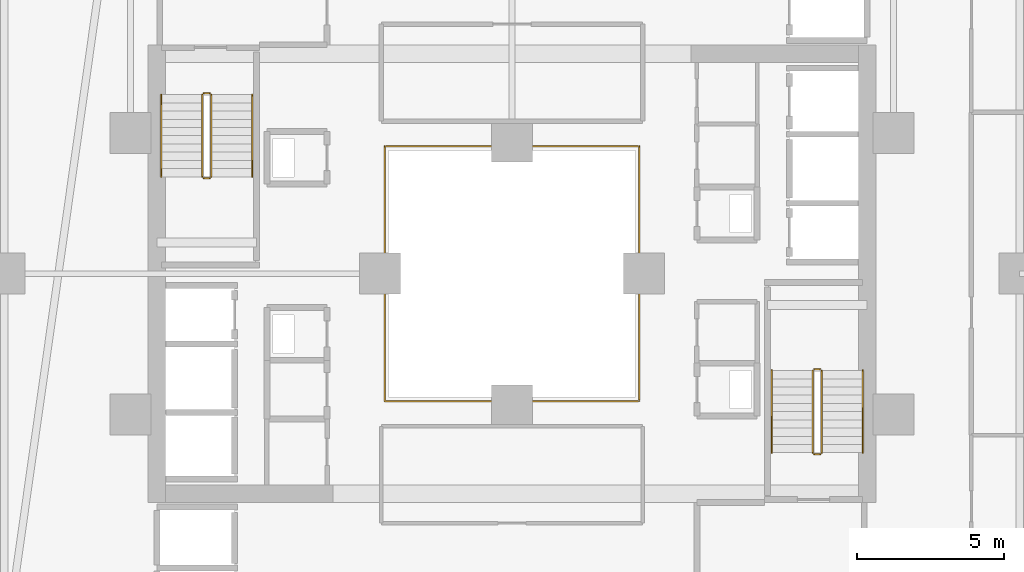
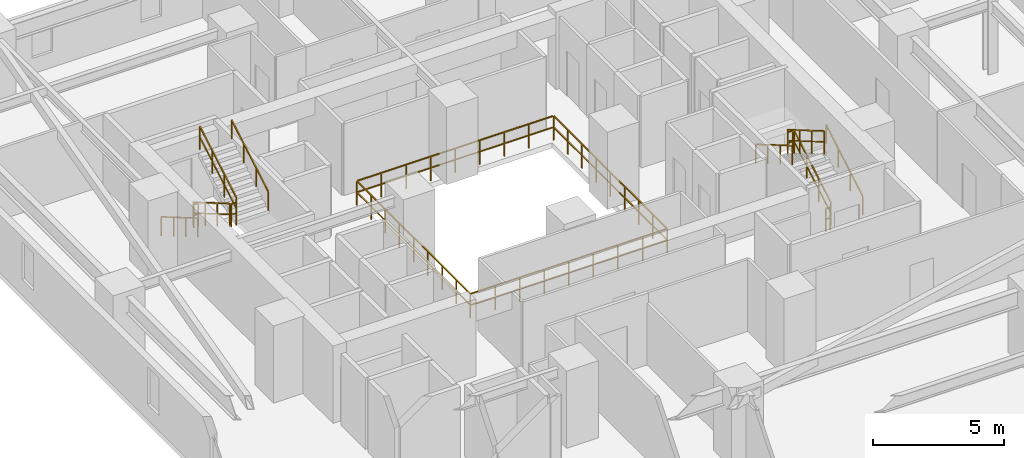
# One storey, part 32 of 33: 13 railings.
"""IFC4 building model written with IfcOpenShell, lengths in metres."""

from ifc_helpers import new_model, si_unit, direction, frame, origin, origin_2d, place, context, subcontext, project, spatial, rectangle, extrude, material, type_object, element, save


model = new_model("IFC4")

# Units and contexts
model_context = context("Model", 3, precision=1e-05, world=origin(), true_north=direction((0.0, 1.0)))
body_context = subcontext(model_context, "Body", "Model", "MODEL_VIEW")
ifc_project = project(units=[si_unit("LENGTHUNIT", "METRE"), si_unit("AREAUNIT", "SQUARE_METRE"), si_unit("VOLUMEUNIT", "CUBIC_METRE"), si_unit("PLANEANGLEUNIT", "RADIAN"), si_unit("MASSUNIT", "GRAM", prefix="KILO")], contexts=[model_context])

# Site, building, storey
site_placement = place(None, origin())
site = spatial("IfcSite", under=ifc_project, at=site_placement, CompositionType="ELEMENT")
building_placement = place(site_placement, origin())
building = spatial("IfcBuilding", under=site, at=building_placement, Name="Thornwick Lancets Civic Towers", CompositionType="ELEMENT")
storey_placement = place(building_placement, frame((0.0, 0.0, 38.699951171875)))
storey = spatial("IfcBuildingStorey", under=building, at=storey_placement, Name="L09", CompositionType="ELEMENT", Elevation=38.699951171875)

# Railings
ifc_material_1 = material(Name="Laminated glass and bronze steel S355", Category="steel")
railing_type_1 = type_object("IfcRailingType", Name="RAIL_ATRIUM_GUARD", PredefinedType="BALUSTRADE", material=ifc_material_1)
railing_1_placement = place(storey_placement, frame((84.159912109375, 22.659912109375, 0.0)))
element("IfcRailing", 1, at=railing_1_placement, inside=storey, type_object=railing_type_1, Name="L09 Tower B Central Atrium Guard Balustrade", PredefinedType="BALUSTRADE", context=body_context, shape_type="SweptSolid", body=[
    extrude(rectangle(XDim=0.048095703125, YDim=0.048095703125, at=origin_2d()), frame((0.0, 0.0, 1.1259765625), z_axis=(1.0, 0.0, 0.0), x_axis=(0.0, 1.0, 0.0)), (0.0, 0.0, 1.0), 8.64892578125),
    extrude(rectangle(XDim=0.0419921875, YDim=0.0419921875, at=origin_2d()), frame((0.03759765625, 0.0, 0.597900390625), z_axis=(1.0, 0.0, 0.0), x_axis=(0.0, 1.0, 0.0)), (0.0, 0.0, 1.0), 1.010009765625),
    extrude(rectangle(XDim=0.0419921875, YDim=0.0419921875, at=origin_2d()), frame((1.12255859375, 0.0, 0.597900390625), z_axis=(1.0, 0.0, 0.0), x_axis=(0.0, 1.0, 0.0)), (0.0, 0.0, 1.0), 1.010009765625),
    extrude(rectangle(XDim=0.0419921875, YDim=0.0419921875, at=origin_2d()), frame((2.20751953125, 0.0, 0.597900390625), z_axis=(1.0, 0.0, 0.0), x_axis=(0.0, 1.0, 0.0)), (0.0, 0.0, 1.0), 1.010009765625),
    extrude(rectangle(XDim=0.0419921875, YDim=0.0419921875, at=origin_2d()), frame((3.29248046875, 0.0, 0.597900390625), z_axis=(1.0, 0.0, 0.0), x_axis=(0.0, 1.0, 0.0)), (0.0, 0.0, 1.0), 1.010009765625),
    extrude(rectangle(XDim=0.0419921875, YDim=0.0419921875, at=origin_2d()), frame((4.377685546875, 0.0, 0.597900390625), z_axis=(1.0, 0.0, 0.0), x_axis=(0.0, 1.0, 0.0)), (0.0, 0.0, 1.0), 1.010009765625),
    extrude(rectangle(XDim=0.0419921875, YDim=0.0419921875, at=origin_2d()), frame((5.462646484375, 0.0, 0.597900390625), z_axis=(1.0, 0.0, 0.0), x_axis=(0.0, 1.0, 0.0)), (0.0, 0.0, 1.0), 1.010009765625),
    extrude(rectangle(XDim=0.0419921875, YDim=0.0419921875, at=origin_2d()), frame((6.547607421875, 0.0, 0.597900390625), z_axis=(1.0, 0.0, 0.0), x_axis=(0.0, 1.0, 0.0)), (0.0, 0.0, 1.0), 1.010009765625),
    extrude(rectangle(XDim=0.0419921875, YDim=0.0419921875, at=origin_2d()), frame((7.632568359375, 0.0, 0.597900390625), z_axis=(1.0, 0.0, 0.0), x_axis=(0.0, 1.0, 0.0)), (0.0, 0.0, 1.0), 1.010009765625),
    extrude(rectangle(XDim=0.048095703125, YDim=0.048095703125, at=origin_2d()), frame((8.68017578125, 0.03125, 1.1259765625), z_axis=(0.0, 1.0, 0.0), x_axis=(-1.0, 0.0, 0.0)), (0.0, 0.0, 1.0), 8.61767578125),
    extrude(rectangle(XDim=0.0419921875, YDim=0.0419921875, at=origin_2d()), frame((8.68017578125, 0.03759765625, 0.597900390625), z_axis=(0.0, 1.0, 0.0), x_axis=(-1.0, 0.0, 0.0)), (0.0, 0.0, 1.0), 1.010009765625),
    extrude(rectangle(XDim=0.0419921875, YDim=0.0419921875, at=origin_2d()), frame((8.68017578125, 1.12255859375, 0.597900390625), z_axis=(0.0, 1.0, 0.0), x_axis=(-1.0, 0.0, 0.0)), (0.0, 0.0, 1.0), 1.010009765625),
    extrude(rectangle(XDim=0.0419921875, YDim=0.0419921875, at=origin_2d()), frame((8.68017578125, 2.20751953125, 0.597900390625), z_axis=(0.0, 1.0, 0.0), x_axis=(-1.0, 0.0, 0.0)), (0.0, 0.0, 1.0), 1.010009765625),
    extrude(rectangle(XDim=0.0419921875, YDim=0.0419921875, at=origin_2d()), frame((8.68017578125, 3.29248046875, 0.597900390625), z_axis=(0.0, 1.0, 0.0), x_axis=(-1.0, 0.0, 0.0)), (0.0, 0.0, 1.0), 1.010009765625),
    extrude(rectangle(XDim=0.0419921875, YDim=0.0419921875, at=origin_2d()), frame((8.68017578125, 4.377685546875, 0.597900390625), z_axis=(0.0, 1.0, 0.0), x_axis=(-1.0, 0.0, 0.0)), (0.0, 0.0, 1.0), 1.010009765625),
    extrude(rectangle(XDim=0.0419921875, YDim=0.0419921875, at=origin_2d()), frame((8.68017578125, 5.462646484375, 0.597900390625), z_axis=(0.0, 1.0, 0.0), x_axis=(-1.0, 0.0, 0.0)), (0.0, 0.0, 1.0), 1.010009765625),
    extrude(rectangle(XDim=0.0419921875, YDim=0.0419921875, at=origin_2d()), frame((8.68017578125, 6.547607421875, 0.597900390625), z_axis=(0.0, 1.0, 0.0), x_axis=(-1.0, 0.0, 0.0)), (0.0, 0.0, 1.0), 1.010009765625),
    extrude(rectangle(XDim=0.0419921875, YDim=0.0419921875, at=origin_2d()), frame((8.68017578125, 7.632568359375, 0.597900390625), z_axis=(0.0, 1.0, 0.0), x_axis=(-1.0, 0.0, 0.0)), (0.0, 0.0, 1.0), 1.010009765625),
    extrude(rectangle(XDim=0.048095703125, YDim=0.048095703125, at=origin_2d()), frame((8.64892578125, 8.68017578125, 1.1259765625), z_axis=(-1.0, 0.0, 0.0), x_axis=(0.0, -1.0, 0.0)), (0.0, 0.0, 1.0), 8.61767578125),
    extrude(rectangle(XDim=0.0419921875, YDim=0.0419921875, at=origin_2d()), frame((8.642578125, 8.68017578125, 0.597900390625), z_axis=(-1.0, 0.0, 0.0), x_axis=(0.0, -1.0, 0.0)), (0.0, 0.0, 1.0), 1.010009765625),
    extrude(rectangle(XDim=0.0419921875, YDim=0.0419921875, at=origin_2d()), frame((7.5576171875, 8.68017578125, 0.597900390625), z_axis=(-1.0, 0.0, 0.0), x_axis=(0.0, -1.0, 0.0)), (0.0, 0.0, 1.0), 1.010009765625),
    extrude(rectangle(XDim=0.0419921875, YDim=0.0419921875, at=origin_2d()), frame((6.47265625, 8.68017578125, 0.597900390625), z_axis=(-1.0, 0.0, 0.0), x_axis=(0.0, -1.0, 0.0)), (0.0, 0.0, 1.0), 1.010009765625),
    extrude(rectangle(XDim=0.0419921875, YDim=0.0419921875, at=origin_2d()), frame((5.3876953125, 8.68017578125, 0.597900390625), z_axis=(-1.0, 0.0, 0.0), x_axis=(0.0, -1.0, 0.0)), (0.0, 0.0, 1.0), 1.010009765625),
    extrude(rectangle(XDim=0.0419921875, YDim=0.0419921875, at=origin_2d()), frame((4.302490234375, 8.68017578125, 0.597900390625), z_axis=(-1.0, 0.0, 0.0), x_axis=(0.0, -1.0, 0.0)), (0.0, 0.0, 1.0), 1.010009765625),
    extrude(rectangle(XDim=0.0419921875, YDim=0.0419921875, at=origin_2d()), frame((3.217529296875, 8.68017578125, 0.597900390625), z_axis=(-1.0, 0.0, 0.0), x_axis=(0.0, -1.0, 0.0)), (0.0, 0.0, 1.0), 1.010009765625),
    extrude(rectangle(XDim=0.0419921875, YDim=0.0419921875, at=origin_2d()), frame((2.132568359375, 8.68017578125, 0.597900390625), z_axis=(-1.0, 0.0, 0.0), x_axis=(0.0, -1.0, 0.0)), (0.0, 0.0, 1.0), 1.010009765625),
    extrude(rectangle(XDim=0.0419921875, YDim=0.0419921875, at=origin_2d()), frame((1.047607421875, 8.68017578125, 0.597900390625), z_axis=(-1.0, 0.0, 0.0), x_axis=(0.0, -1.0, 0.0)), (0.0, 0.0, 1.0), 1.010009765625),
    extrude(rectangle(XDim=0.048095703125, YDim=0.048095703125, at=origin_2d()), frame((0.0, 8.64892578125, 1.1259765625), z_axis=(0.0, -1.0, 0.0), x_axis=(1.0, 0.0, 0.0)), (0.0, 0.0, 1.0), 8.64892578125),
    extrude(rectangle(XDim=0.0419921875, YDim=0.0419921875, at=origin_2d()), frame((0.0, 8.642578125, 0.597900390625), z_axis=(0.0, -1.0, 0.0), x_axis=(1.0, 0.0, 0.0)), (0.0, 0.0, 1.0), 1.010009765625),
    extrude(rectangle(XDim=0.0419921875, YDim=0.0419921875, at=origin_2d()), frame((0.0, 7.5576171875, 0.597900390625), z_axis=(0.0, -1.0, 0.0), x_axis=(1.0, 0.0, 0.0)), (0.0, 0.0, 1.0), 1.010009765625),
    extrude(rectangle(XDim=0.0419921875, YDim=0.0419921875, at=origin_2d()), frame((0.0, 6.47265625, 0.597900390625), z_axis=(0.0, -1.0, 0.0), x_axis=(1.0, 0.0, 0.0)), (0.0, 0.0, 1.0), 1.010009765625),
    extrude(rectangle(XDim=0.0419921875, YDim=0.0419921875, at=origin_2d()), frame((0.0, 5.3876953125, 0.597900390625), z_axis=(0.0, -1.0, 0.0), x_axis=(1.0, 0.0, 0.0)), (0.0, 0.0, 1.0), 1.010009765625),
    extrude(rectangle(XDim=0.0419921875, YDim=0.0419921875, at=origin_2d()), frame((0.0, 4.302490234375, 0.597900390625), z_axis=(0.0, -1.0, 0.0), x_axis=(1.0, 0.0, 0.0)), (0.0, 0.0, 1.0), 1.010009765625),
    extrude(rectangle(XDim=0.0419921875, YDim=0.0419921875, at=origin_2d()), frame((0.0, 3.217529296875, 0.597900390625), z_axis=(0.0, -1.0, 0.0), x_axis=(1.0, 0.0, 0.0)), (0.0, 0.0, 1.0), 1.010009765625),
    extrude(rectangle(XDim=0.0419921875, YDim=0.0419921875, at=origin_2d()), frame((0.0, 2.132568359375, 0.597900390625), z_axis=(0.0, -1.0, 0.0), x_axis=(1.0, 0.0, 0.0)), (0.0, 0.0, 1.0), 1.010009765625),
    extrude(rectangle(XDim=0.0419921875, YDim=0.0419921875, at=origin_2d()), frame((0.0, 1.047607421875, 0.597900390625), z_axis=(0.0, -1.0, 0.0), x_axis=(1.0, 0.0, 0.0)), (0.0, 0.0, 1.0), 1.010009765625),
    extrude(rectangle(XDim=0.0419921875, YDim=0.0419921875, at=origin_2d()), origin(), (0.0, 0.0, 1.0), 1.095703125),
    extrude(rectangle(XDim=0.0419921875, YDim=0.0419921875, at=origin_2d()), frame((1.0849609375, 0.0, 0.0)), (0.0, 0.0, 1.0), 1.095703125),
    extrude(rectangle(XDim=0.0419921875, YDim=0.0419921875, at=origin_2d()), frame((2.169921875, 0.0, 0.0)), (0.0, 0.0, 1.0), 1.095703125),
    extrude(rectangle(XDim=0.0419921875, YDim=0.0419921875, at=origin_2d()), frame((3.255126953125, 0.0, 0.0)), (0.0, 0.0, 1.0), 1.095703125),
    extrude(rectangle(XDim=0.0419921875, YDim=0.0419921875, at=origin_2d()), frame((4.340087890625, 0.0, 0.0)), (0.0, 0.0, 1.0), 1.095703125),
    extrude(rectangle(XDim=0.0419921875, YDim=0.0419921875, at=origin_2d()), frame((5.425048828125, 0.0, 0.0)), (0.0, 0.0, 1.0), 1.095703125),
    extrude(rectangle(XDim=0.0419921875, YDim=0.0419921875, at=origin_2d()), frame((6.51025390625, 0.0, 0.0)), (0.0, 0.0, 1.0), 1.095703125),
    extrude(rectangle(XDim=0.0419921875, YDim=0.0419921875, at=origin_2d()), frame((7.59521484375, 0.0, 0.0)), (0.0, 0.0, 1.0), 1.095703125),
    extrude(rectangle(XDim=0.0419921875, YDim=0.0419921875, at=origin_2d()), frame((8.68017578125, 0.0, 0.0)), (0.0, 0.0, 1.0), 1.095703125),
    extrude(rectangle(XDim=0.0419921875, YDim=0.0419921875, at=origin_2d()), frame((8.68017578125, 1.0849609375, 0.0)), (0.0, 0.0, 1.0), 1.095703125),
    extrude(rectangle(XDim=0.0419921875, YDim=0.0419921875, at=origin_2d()), frame((8.68017578125, 2.169921875, 0.0)), (0.0, 0.0, 1.0), 1.095703125),
    extrude(rectangle(XDim=0.0419921875, YDim=0.0419921875, at=origin_2d()), frame((8.68017578125, 3.255126953125, 0.0)), (0.0, 0.0, 1.0), 1.095703125),
    extrude(rectangle(XDim=0.0419921875, YDim=0.0419921875, at=origin_2d()), frame((8.68017578125, 4.340087890625, 0.0)), (0.0, 0.0, 1.0), 1.095703125),
    extrude(rectangle(XDim=0.0419921875, YDim=0.0419921875, at=origin_2d()), frame((8.68017578125, 5.425048828125, 0.0)), (0.0, 0.0, 1.0), 1.095703125),
    extrude(rectangle(XDim=0.0419921875, YDim=0.0419921875, at=origin_2d()), frame((8.68017578125, 6.51025390625, 0.0)), (0.0, 0.0, 1.0), 1.095703125),
    extrude(rectangle(XDim=0.0419921875, YDim=0.0419921875, at=origin_2d()), frame((8.68017578125, 7.59521484375, 0.0)), (0.0, 0.0, 1.0), 1.095703125),
    extrude(rectangle(XDim=0.0419921875, YDim=0.0419921875, at=origin_2d()), frame((8.68017578125, 8.68017578125, 0.0)), (0.0, 0.0, 1.0), 1.095703125),
    extrude(rectangle(XDim=0.0419921875, YDim=0.0419921875, at=origin_2d()), frame((7.59521484375, 8.68017578125, 0.0)), (0.0, 0.0, 1.0), 1.095703125),
    extrude(rectangle(XDim=0.0419921875, YDim=0.0419921875, at=origin_2d()), frame((6.51025390625, 8.68017578125, 0.0)), (0.0, 0.0, 1.0), 1.095703125),
    extrude(rectangle(XDim=0.0419921875, YDim=0.0419921875, at=origin_2d()), frame((5.425048828125, 8.68017578125, 0.0)), (0.0, 0.0, 1.0), 1.095703125),
    extrude(rectangle(XDim=0.0419921875, YDim=0.0419921875, at=origin_2d()), frame((4.340087890625, 8.68017578125, 0.0)), (0.0, 0.0, 1.0), 1.095703125),
    extrude(rectangle(XDim=0.0419921875, YDim=0.0419921875, at=origin_2d()), frame((3.255126953125, 8.68017578125, 0.0)), (0.0, 0.0, 1.0), 1.095703125),
    extrude(rectangle(XDim=0.0419921875, YDim=0.0419921875, at=origin_2d()), frame((2.169921875, 8.68017578125, 0.0)), (0.0, 0.0, 1.0), 1.095703125),
    extrude(rectangle(XDim=0.0419921875, YDim=0.0419921875, at=origin_2d()), frame((1.0849609375, 8.68017578125, 0.0)), (0.0, 0.0, 1.0), 1.095703125),
    extrude(rectangle(XDim=0.0419921875, YDim=0.0419921875, at=origin_2d()), frame((0.0, 8.68017578125, 0.0)), (0.0, 0.0, 1.0), 1.095703125),
    extrude(rectangle(XDim=0.0419921875, YDim=0.0419921875, at=origin_2d()), frame((0.0, 7.59521484375, 0.0)), (0.0, 0.0, 1.0), 1.095703125),
    extrude(rectangle(XDim=0.0419921875, YDim=0.0419921875, at=origin_2d()), frame((0.0, 6.51025390625, 0.0)), (0.0, 0.0, 1.0), 1.095703125),
    extrude(rectangle(XDim=0.0419921875, YDim=0.0419921875, at=origin_2d()), frame((0.0, 5.425048828125, 0.0)), (0.0, 0.0, 1.0), 1.095703125),
    extrude(rectangle(XDim=0.0419921875, YDim=0.0419921875, at=origin_2d()), frame((0.0, 4.340087890625, 0.0)), (0.0, 0.0, 1.0), 1.095703125),
    extrude(rectangle(XDim=0.0419921875, YDim=0.0419921875, at=origin_2d()), frame((0.0, 3.255126953125, 0.0)), (0.0, 0.0, 1.0), 1.095703125),
    extrude(rectangle(XDim=0.0419921875, YDim=0.0419921875, at=origin_2d()), frame((0.0, 2.169921875, 0.0)), (0.0, 0.0, 1.0), 1.095703125),
    extrude(rectangle(XDim=0.0419921875, YDim=0.0419921875, at=origin_2d()), frame((0.0, 1.0849609375, 0.0)), (0.0, 0.0, 1.0), 1.095703125),
])
ifc_material_2 = material(Name="Brushed stainless steel S355", Category="steel")
railing_type_2 = type_object("IfcRailingType", Name="RAIL_HANDRAIL", PredefinedType="HANDRAIL", material=ifc_material_2)
railing_2_placement = place(storey_placement, frame((100.449951171875, 20.89990234375, 0.16357421875)))
element("IfcRailing", 2, at=railing_2_placement, inside=storey, type_object=railing_type_2, Name="L09 ST-B1 stair handrail 1", PredefinedType="HANDRAIL", context=body_context, shape_type="SweptSolid", body=[
    extrude(rectangle(XDim=0.048095703125, YDim=0.048095703125, at=origin_2d()), frame((0.0, 0.0, 0.8857421875), z_axis=(0.0, 0.863360870873, 0.504586966384), x_axis=(-1.0, 0.0, 0.0)), (0.0, 0.0, 1.0), 3.2431640625),
    extrude(rectangle(XDim=0.0419921875, YDim=0.0419921875, at=origin_2d()), origin(), (0.0, 0.0, 1.0), 0.855712890625),
    extrude(rectangle(XDim=0.0419921875, YDim=0.0419921875, at=origin_2d()), frame((0.0, 0.933349609375, 0.54541015625)), (0.0, 0.0, 1.0), 0.855712890625),
    extrude(rectangle(XDim=0.0419921875, YDim=0.0419921875, at=origin_2d()), frame((0.0, 1.86669921875, 1.091064453125)), (0.0, 0.0, 1.0), 0.855712890625),
    extrude(rectangle(XDim=0.0419921875, YDim=0.0419921875, at=origin_2d()), frame((0.0, 2.800048828125, 1.636474609375)), (0.0, 0.0, 1.0), 0.855712890625),
])
for number, where, name in (
    (3, (97.35009765625, 23.699951171875, 1.963623046875), "L09 ST-B1 stair handrail 2"),
    (4, (76.550048828125, 33.10009765625, 0.16357421875), "L09 ST-B2 stair handrail 1"),
):
    element("IfcRailing", number, at=place(storey_placement, frame(where)), inside=storey, type_object=railing_type_2, Name=name, PredefinedType="HANDRAIL", context=body_context, shape_type="SweptSolid", body=[
        extrude(rectangle(XDim=0.048095703125, YDim=0.048095703125, at=origin_2d()), frame((0.0, 0.0, 0.8857421875), z_axis=(0.0, -0.863360870873, 0.504586966384), x_axis=(1.0, 0.0, 0.0)), (0.0, 0.0, 1.0), 3.2431640625),
        extrude(rectangle(XDim=0.0419921875, YDim=0.0419921875, at=origin_2d()), origin(), (0.0, 0.0, 1.0), 0.855712890625),
        extrude(rectangle(XDim=0.0419921875, YDim=0.0419921875, at=origin_2d()), frame((0.0, -0.933349609375, 0.54541015625)), (0.0, 0.0, 1.0), 0.855712890625),
        extrude(rectangle(XDim=0.0419921875, YDim=0.0419921875, at=origin_2d()), frame((0.0, -1.86669921875, 1.091064453125)), (0.0, 0.0, 1.0), 0.855712890625),
        extrude(rectangle(XDim=0.0419921875, YDim=0.0419921875, at=origin_2d()), frame((0.0, -2.800048828125, 1.636474609375)), (0.0, 0.0, 1.0), 0.855712890625),
    ])
railing_3_placement = place(storey_placement, frame((79.64990234375, 30.300048828125, 1.963623046875)))
element("IfcRailing", 5, at=railing_3_placement, inside=storey, type_object=railing_type_2, Name="L09 ST-B2 stair handrail 2", PredefinedType="HANDRAIL", context=body_context, shape_type="SweptSolid", body=[
    extrude(rectangle(XDim=0.048095703125, YDim=0.048095703125, at=origin_2d()), frame((0.0, 0.0, 0.8857421875), z_axis=(0.0, 0.863360870873, 0.504586966384), x_axis=(-1.0, 0.0, 0.0)), (0.0, 0.0, 1.0), 3.2431640625),
    extrude(rectangle(XDim=0.0419921875, YDim=0.0419921875, at=origin_2d()), origin(), (0.0, 0.0, 1.0), 0.855712890625),
    extrude(rectangle(XDim=0.0419921875, YDim=0.0419921875, at=origin_2d()), frame((0.0, 0.933349609375, 0.54541015625)), (0.0, 0.0, 1.0), 0.855712890625),
    extrude(rectangle(XDim=0.0419921875, YDim=0.0419921875, at=origin_2d()), frame((0.0, 1.86669921875, 1.091064453125)), (0.0, 0.0, 1.0), 0.855712890625),
    extrude(rectangle(XDim=0.0419921875, YDim=0.0419921875, at=origin_2d()), frame((0.0, 2.800048828125, 1.636474609375)), (0.0, 0.0, 1.0), 0.855712890625),
])
ifc_material_3 = material(Name="Steel S355JR", Category="steel")
railing_type_3 = type_object("IfcRailingType", Name="RAIL_STAIR_GUARD", PredefinedType="GUARDRAIL", material=ifc_material_3)
railing_4_placement = place(storey_placement, frame((99.050048828125, 20.89990234375, 0.16357421875)))
element("IfcRailing", 6, at=railing_4_placement, inside=storey, type_object=railing_type_3, Name="L09 ST-B1 stair guard 1", PredefinedType="GUARDRAIL", context=body_context, shape_type="SweptSolid", body=[
    extrude(rectangle(XDim=0.048095703125, YDim=0.048095703125, at=origin_2d()), frame((0.0, 0.0, 1.076171875), z_axis=(0.0, 0.863360870873, 0.504586966384), x_axis=(-1.0, 0.0, 0.0)), (0.0, 0.0, 1.0), 3.2431640625),
    extrude(rectangle(XDim=0.0419921875, YDim=0.0419921875, at=origin_2d()), frame((0.0, 0.032470703125, 0.591064453125), z_axis=(0.0, 0.863360870873, 0.504586966384), x_axis=(-1.0, 0.0, 0.0)), (0.0, 0.0, 1.0), 1.006103515625),
    extrude(rectangle(XDim=0.0419921875, YDim=0.0419921875, at=origin_2d()), frame((0.0, 0.9658203125, 1.136474609375), z_axis=(0.0, 0.863360870873, 0.504586966384), x_axis=(-1.0, 0.0, 0.0)), (0.0, 0.0, 1.0), 1.006103515625),
    extrude(rectangle(XDim=0.0419921875, YDim=0.0419921875, at=origin_2d()), frame((0.0, 1.899169921875, 1.681884765625), z_axis=(0.0, 0.863360870873, 0.504586966384), x_axis=(-1.0, 0.0, 0.0)), (0.0, 0.0, 1.0), 1.006103515625),
    extrude(rectangle(XDim=0.0419921875, YDim=0.0419921875, at=origin_2d()), origin(), (0.0, 0.0, 1.0), 1.0458984375),
    extrude(rectangle(XDim=0.0419921875, YDim=0.0419921875, at=origin_2d()), frame((0.0, 0.933349609375, 0.54541015625)), (0.0, 0.0, 1.0), 1.0458984375),
    extrude(rectangle(XDim=0.0419921875, YDim=0.0419921875, at=origin_2d()), frame((0.0, 1.86669921875, 1.091064453125)), (0.0, 0.0, 1.0), 1.0458984375),
    extrude(rectangle(XDim=0.0419921875, YDim=0.0419921875, at=origin_2d()), frame((0.0, 2.800048828125, 1.636474609375)), (0.0, 0.0, 1.0), 1.0458984375),
])
railing_5_placement = place(storey_placement, frame((99.0, 23.75, 1.800048828125)))
element("IfcRailing", 7, at=railing_5_placement, inside=storey, type_object=railing_type_3, Name="L09 ST-B1 stair guard 2", PredefinedType="GUARDRAIL", context=body_context, shape_type="SweptSolid", body=[
    extrude(rectangle(XDim=0.048095703125, YDim=0.048095703125, at=origin_2d()), frame((0.0, 0.0, 1.076171875), z_axis=(-1.0, 0.0, 0.0), x_axis=(0.0, -1.0, 0.0)), (0.0, 0.0, 1.0), 0.199951171875),
    extrude(rectangle(XDim=0.0419921875, YDim=0.0419921875, at=origin_2d()), frame((-0.03759765625, 0.0, 0.572021484375), z_axis=(-1.0, 0.0, 0.0), x_axis=(0.0, -1.0, 0.0)), (0.0, 0.0, 1.0), 0.125),
    extrude(rectangle(XDim=0.0419921875, YDim=0.0419921875, at=origin_2d()), origin(), (0.0, 0.0, 1.0), 1.0458984375),
    extrude(rectangle(XDim=0.0419921875, YDim=0.0419921875, at=origin_2d()), frame((-0.199951171875, 0.0, 0.0)), (0.0, 0.0, 1.0), 1.0458984375),
])
railing_6_placement = place(storey_placement, frame((98.75, 23.699951171875, 1.963623046875)))
element("IfcRailing", 8, at=railing_6_placement, inside=storey, type_object=railing_type_3, Name="L09 ST-B1 stair guard 3", PredefinedType="GUARDRAIL", context=body_context, shape_type="SweptSolid", body=[
    extrude(rectangle(XDim=0.048095703125, YDim=0.048095703125, at=origin_2d()), frame((0.0, 0.0, 1.076171875), z_axis=(0.0, -0.863360870873, 0.504586966384), x_axis=(1.0, 0.0, 0.0)), (0.0, 0.0, 1.0), 3.2431640625),
    extrude(rectangle(XDim=0.0419921875, YDim=0.0419921875, at=origin_2d()), frame((0.0, -0.032470703125, 0.591064453125), z_axis=(0.0, -0.863360870873, 0.504586966384), x_axis=(1.0, 0.0, 0.0)), (0.0, 0.0, 1.0), 1.006103515625),
    extrude(rectangle(XDim=0.0419921875, YDim=0.0419921875, at=origin_2d()), frame((0.0, -0.9658203125, 1.136474609375), z_axis=(0.0, -0.863360870873, 0.504586966384), x_axis=(1.0, 0.0, 0.0)), (0.0, 0.0, 1.0), 1.006103515625),
    extrude(rectangle(XDim=0.0419921875, YDim=0.0419921875, at=origin_2d()), frame((0.0, -1.899169921875, 1.681884765625), z_axis=(0.0, -0.863360870873, 0.504586966384), x_axis=(1.0, 0.0, 0.0)), (0.0, 0.0, 1.0), 1.006103515625),
    extrude(rectangle(XDim=0.0419921875, YDim=0.0419921875, at=origin_2d()), origin(), (0.0, 0.0, 1.0), 1.0458984375),
    extrude(rectangle(XDim=0.0419921875, YDim=0.0419921875, at=origin_2d()), frame((0.0, -0.933349609375, 0.54541015625)), (0.0, 0.0, 1.0), 1.0458984375),
    extrude(rectangle(XDim=0.0419921875, YDim=0.0419921875, at=origin_2d()), frame((0.0, -1.86669921875, 1.091064453125)), (0.0, 0.0, 1.0), 1.0458984375),
    extrude(rectangle(XDim=0.0419921875, YDim=0.0419921875, at=origin_2d()), frame((0.0, -2.800048828125, 1.636474609375)), (0.0, 0.0, 1.0), 1.0458984375),
])
railing_7_placement = place(storey_placement, frame((99.0, 20.85009765625, 0.0)))
element("IfcRailing", 9, at=railing_7_placement, inside=storey, type_object=railing_type_3, Name="L09 ST-B1 stair guard 4", PredefinedType="GUARDRAIL", context=body_context, shape_type="SweptSolid", body=[
    extrude(rectangle(XDim=0.048095703125, YDim=0.048095703125, at=origin_2d()), frame((0.0, 0.0, 1.076171875), z_axis=(-1.0, 0.0, 0.0), x_axis=(0.0, -1.0, 0.0)), (0.0, 0.0, 1.0), 0.199951171875),
    extrude(rectangle(XDim=0.0419921875, YDim=0.0419921875, at=origin_2d()), frame((-0.03759765625, 0.0, 0.572021484375), z_axis=(-1.0, 0.0, 0.0), x_axis=(0.0, -1.0, 0.0)), (0.0, 0.0, 1.0), 0.125),
    extrude(rectangle(XDim=0.0419921875, YDim=0.0419921875, at=origin_2d()), origin(), (0.0, 0.0, 1.0), 1.0458984375),
    extrude(rectangle(XDim=0.0419921875, YDim=0.0419921875, at=origin_2d()), frame((-0.199951171875, 0.0, 0.0)), (0.0, 0.0, 1.0), 1.0458984375),
])
railing_8_placement = place(storey_placement, frame((77.949951171875, 33.10009765625, 0.16357421875)))
element("IfcRailing", 10, at=railing_8_placement, inside=storey, type_object=railing_type_3, Name="L09 ST-B2 stair guard 1", PredefinedType="GUARDRAIL", context=body_context, shape_type="SweptSolid", body=[
    extrude(rectangle(XDim=0.048095703125, YDim=0.048095703125, at=origin_2d()), frame((0.0, 0.0, 1.076171875), z_axis=(0.0, -0.863360870873, 0.504586966384), x_axis=(1.0, 0.0, 0.0)), (0.0, 0.0, 1.0), 3.2431640625),
    extrude(rectangle(XDim=0.0419921875, YDim=0.0419921875, at=origin_2d()), frame((0.0, -0.032470703125, 0.591064453125), z_axis=(0.0, -0.863360870873, 0.504586966384), x_axis=(1.0, 0.0, 0.0)), (0.0, 0.0, 1.0), 1.006103515625),
    extrude(rectangle(XDim=0.0419921875, YDim=0.0419921875, at=origin_2d()), frame((0.0, -0.9658203125, 1.136474609375), z_axis=(0.0, -0.863360870873, 0.504586966384), x_axis=(1.0, 0.0, 0.0)), (0.0, 0.0, 1.0), 1.006103515625),
    extrude(rectangle(XDim=0.0419921875, YDim=0.0419921875, at=origin_2d()), frame((0.0, -1.899169921875, 1.681884765625), z_axis=(0.0, -0.863360870873, 0.504586966384), x_axis=(1.0, 0.0, 0.0)), (0.0, 0.0, 1.0), 1.006103515625),
    extrude(rectangle(XDim=0.0419921875, YDim=0.0419921875, at=origin_2d()), origin(), (0.0, 0.0, 1.0), 1.0458984375),
    extrude(rectangle(XDim=0.0419921875, YDim=0.0419921875, at=origin_2d()), frame((0.0, -0.933349609375, 0.54541015625)), (0.0, 0.0, 1.0), 1.0458984375),
    extrude(rectangle(XDim=0.0419921875, YDim=0.0419921875, at=origin_2d()), frame((0.0, -1.86669921875, 1.091064453125)), (0.0, 0.0, 1.0), 1.0458984375),
    extrude(rectangle(XDim=0.0419921875, YDim=0.0419921875, at=origin_2d()), frame((0.0, -2.800048828125, 1.636474609375)), (0.0, 0.0, 1.0), 1.0458984375),
])
railing_9_placement = place(storey_placement, frame((78.0, 30.25, 1.800048828125)))
element("IfcRailing", 11, at=railing_9_placement, inside=storey, type_object=railing_type_3, Name="L09 ST-B2 stair guard 2", PredefinedType="GUARDRAIL", context=body_context, shape_type="SweptSolid", body=[
    extrude(rectangle(XDim=0.048095703125, YDim=0.048095703125, at=origin_2d()), frame((0.0, 0.0, 1.076171875), z_axis=(1.0, 0.0, 0.0), x_axis=(0.0, 1.0, 0.0)), (0.0, 0.0, 1.0), 0.199951171875),
    extrude(rectangle(XDim=0.0419921875, YDim=0.0419921875, at=origin_2d()), frame((0.03759765625, 0.0, 0.572021484375), z_axis=(1.0, 0.0, 0.0), x_axis=(0.0, 1.0, 0.0)), (0.0, 0.0, 1.0), 0.125),
    extrude(rectangle(XDim=0.0419921875, YDim=0.0419921875, at=origin_2d()), origin(), (0.0, 0.0, 1.0), 1.0458984375),
    extrude(rectangle(XDim=0.0419921875, YDim=0.0419921875, at=origin_2d()), frame((0.199951171875, 0.0, 0.0)), (0.0, 0.0, 1.0), 1.0458984375),
])
railing_10_placement = place(storey_placement, frame((78.25, 30.300048828125, 1.963623046875)))
element("IfcRailing", 12, at=railing_10_placement, inside=storey, type_object=railing_type_3, Name="L09 ST-B2 stair guard 3", PredefinedType="GUARDRAIL", context=body_context, shape_type="SweptSolid", body=[
    extrude(rectangle(XDim=0.048095703125, YDim=0.048095703125, at=origin_2d()), frame((0.0, 0.0, 1.076171875), z_axis=(0.0, 0.863360870873, 0.504586966384), x_axis=(-1.0, 0.0, 0.0)), (0.0, 0.0, 1.0), 3.2431640625),
    extrude(rectangle(XDim=0.0419921875, YDim=0.0419921875, at=origin_2d()), frame((0.0, 0.032470703125, 0.591064453125), z_axis=(0.0, 0.863360870873, 0.504586966384), x_axis=(-1.0, 0.0, 0.0)), (0.0, 0.0, 1.0), 1.006103515625),
    extrude(rectangle(XDim=0.0419921875, YDim=0.0419921875, at=origin_2d()), frame((0.0, 0.9658203125, 1.136474609375), z_axis=(0.0, 0.863360870873, 0.504586966384), x_axis=(-1.0, 0.0, 0.0)), (0.0, 0.0, 1.0), 1.006103515625),
    extrude(rectangle(XDim=0.0419921875, YDim=0.0419921875, at=origin_2d()), frame((0.0, 1.899169921875, 1.681884765625), z_axis=(0.0, 0.863360870873, 0.504586966384), x_axis=(-1.0, 0.0, 0.0)), (0.0, 0.0, 1.0), 1.006103515625),
    extrude(rectangle(XDim=0.0419921875, YDim=0.0419921875, at=origin_2d()), origin(), (0.0, 0.0, 1.0), 1.0458984375),
    extrude(rectangle(XDim=0.0419921875, YDim=0.0419921875, at=origin_2d()), frame((0.0, 0.933349609375, 0.54541015625)), (0.0, 0.0, 1.0), 1.0458984375),
    extrude(rectangle(XDim=0.0419921875, YDim=0.0419921875, at=origin_2d()), frame((0.0, 1.86669921875, 1.091064453125)), (0.0, 0.0, 1.0), 1.0458984375),
    extrude(rectangle(XDim=0.0419921875, YDim=0.0419921875, at=origin_2d()), frame((0.0, 2.800048828125, 1.636474609375)), (0.0, 0.0, 1.0), 1.0458984375),
])
railing_11_placement = place(storey_placement, frame((78.0, 33.14990234375, 0.0)))
element("IfcRailing", 13, at=railing_11_placement, inside=storey, type_object=railing_type_3, Name="L09 ST-B2 stair guard 4", PredefinedType="GUARDRAIL", context=body_context, shape_type="SweptSolid", body=[
    extrude(rectangle(XDim=0.048095703125, YDim=0.048095703125, at=origin_2d()), frame((0.0, 0.0, 1.076171875), z_axis=(1.0, 0.0, 0.0), x_axis=(0.0, 1.0, 0.0)), (0.0, 0.0, 1.0), 0.199951171875),
    extrude(rectangle(XDim=0.0419921875, YDim=0.0419921875, at=origin_2d()), frame((0.03759765625, 0.0, 0.572021484375), z_axis=(1.0, 0.0, 0.0), x_axis=(0.0, 1.0, 0.0)), (0.0, 0.0, 1.0), 0.125),
    extrude(rectangle(XDim=0.0419921875, YDim=0.0419921875, at=origin_2d()), origin(), (0.0, 0.0, 1.0), 1.0458984375),
    extrude(rectangle(XDim=0.0419921875, YDim=0.0419921875, at=origin_2d()), frame((0.199951171875, 0.0, 0.0)), (0.0, 0.0, 1.0), 1.0458984375),
])

save(model, "model.ifc")
